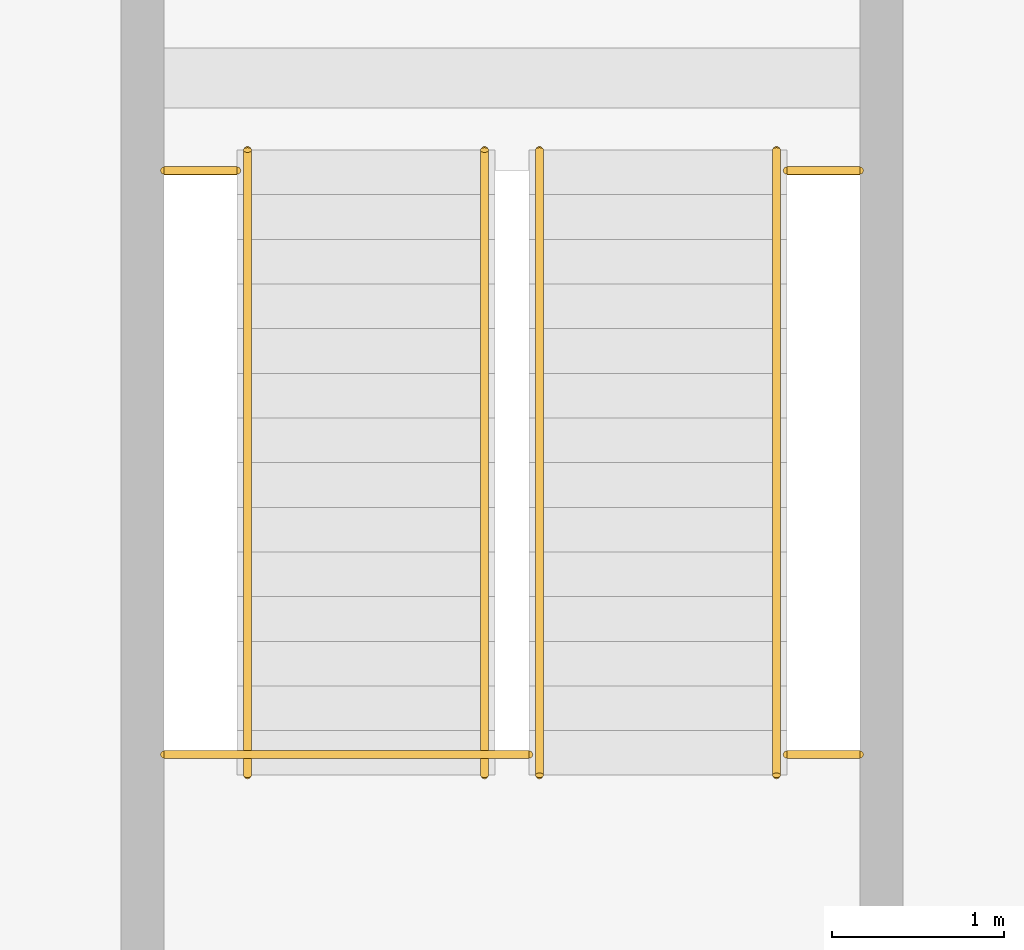
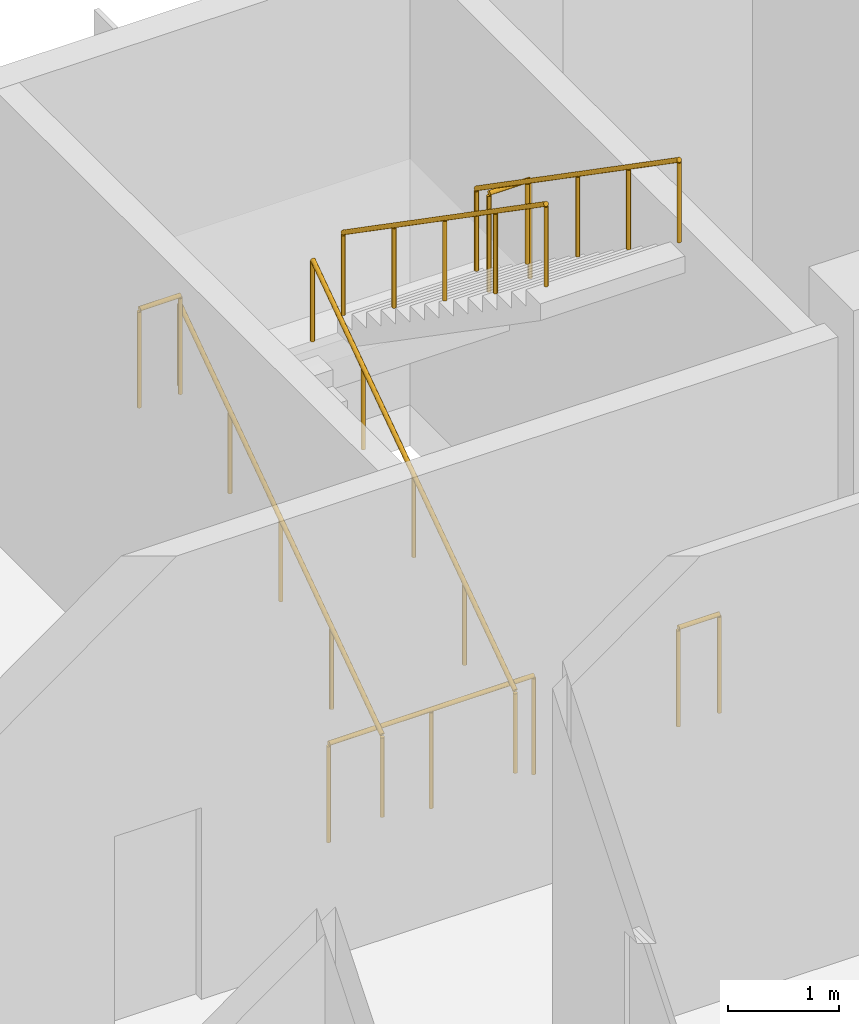
# One storey, part 32 of 32: 8 railings.
"""IFC4 building model written with IfcOpenShell, lengths in metres."""

from ifc_helpers import new_model, si_unit, direction, frame, origin, origin_2d, place, context, subcontext, project, spatial, circle, extrude, material, type_object, element, save


model = new_model("IFC4")

# Units and contexts
model_context = context("Model", 3, precision=1e-05, world=origin(), true_north=direction((0.0, 1.0)))
body_context = subcontext(model_context, "Body", "Model", "MODEL_VIEW")
ifc_project = project(units=[si_unit("LENGTHUNIT", "METRE"), si_unit("AREAUNIT", "SQUARE_METRE"), si_unit("VOLUMEUNIT", "CUBIC_METRE"), si_unit("PLANEANGLEUNIT", "RADIAN"), si_unit("MASSUNIT", "GRAM", prefix="KILO")], contexts=[model_context])

# Site, building, storey
site_placement = place(None, origin())
site = spatial("IfcSite", under=ifc_project, at=site_placement, CompositionType="ELEMENT")
building_placement = place(site_placement, origin())
building = spatial("IfcBuilding", under=site, at=building_placement, Name="Basin Gate Institute", CompositionType="ELEMENT")
storey_placement = place(building_placement, frame((0.0, 0.0, 11.39990234375)))
storey = spatial("IfcBuildingStorey", under=building, at=storey_placement, Name="L02", CompositionType="ELEMENT", Elevation=11.39990234375)

# Railings
ifc_material_1 = material(Name="Stainless steel tube and glass infill", Category="steel")
railing_type_1 = type_object("IfcRailingType", Name="Block railing 1100", PredefinedType="GUARDRAIL", material=ifc_material_1)
railing_placement = place(storey_placement, frame((139.625, 101.2451171875, 0.0)))
element("IfcRailing", 1, at=railing_placement, inside=storey, type_object=railing_type_1, material=ifc_material_1, Name="Guard stairwell ST-C6 L02", PredefinedType="GUARDRAIL", context=body_context, shape_type="SweptSolid", body=[
    extrude(circle(Radius=0.02392578125, at=origin_2d()), frame((0.0, 0.0, 1.076171875), z_axis=(1.0, 0.0, 0.0), x_axis=(0.0, 1.0, 0.0)), (0.0, 0.0, 1.0), 2.125),
    extrude(circle(Radius=0.02099609375, at=origin_2d()), origin(), (0.0, 0.0, 1.0), 1.052001953125),
    extrude(circle(Radius=0.02099609375, at=origin_2d()), frame((1.0625, 0.0, 0.0)), (0.0, 0.0, 1.0), 1.052001953125),
    extrude(circle(Radius=0.02099609375, at=origin_2d()), frame((2.125, 0.0, 0.0)), (0.0, 0.0, 1.0), 1.052001953125),
])
for number, where, name in (
    (2, (143.25, 101.2451171875, 0.0), "Guard stairwell ST-C6 L02 east"),
    (3, (139.625, 104.64501953125, 2.7001953125), "Guard stair landing ST-C7 L02"),
    (4, (143.25, 104.64501953125, 2.7001953125), "Guard stair landing ST-C7 L02"),
):
    element("IfcRailing", number, at=place(storey_placement, frame(where)), inside=storey, type_object=railing_type_1, material=ifc_material_1, Name=name, PredefinedType="GUARDRAIL", context=body_context, shape_type="SweptSolid", body=[
        extrude(circle(Radius=0.02392578125, at=origin_2d()), frame((0.0, 0.0, 1.076171875), z_axis=(1.0, 0.0, 0.0), x_axis=(0.0, 1.0, 0.0)), (0.0, 0.0, 1.0), 0.425048828125),
        extrude(circle(Radius=0.02099609375, at=origin_2d()), origin(), (0.0, 0.0, 1.0), 1.052001953125),
        extrude(circle(Radius=0.02099609375, at=origin_2d()), frame((0.425048828125, 0.0, 0.0)), (0.0, 0.0, 1.0), 1.052001953125),
    ])
ifc_material_2 = material(Name="Stainless steel tube and glass infill", Category="steel")
railing_type_2 = type_object("IfcRailingType", Name="Block railing 920", PredefinedType="HANDRAIL", material=ifc_material_2)
for number, where, name in (
    (5, (140.110107421875, 101.125, 0.18017578125), "Handrail ST-C7 flight 1"),
    (6, (141.489990234375, 101.125, 0.18017578125), "Handrail ST-C7 flight 1"),
):
    element("IfcRailing", number, at=place(storey_placement, frame(where)), inside=storey, type_object=railing_type_2, material=ifc_material_2, Name=name, PredefinedType="HANDRAIL", context=body_context, shape_type="SweptSolid", body=[
        extrude(circle(Radius=0.02392578125, at=origin_2d()), frame((0.0, 0.0, 0.89599609375), z_axis=(0.0, 0.822182265111, 0.569224316888), x_axis=(-1.0, 0.0, 0.0)), (0.0, 0.0, 1.0), 4.427001953125),
        extrude(circle(Radius=0.02099609375, at=origin_2d()), origin(), (0.0, 0.0, 1.0), 0.871826171875),
        extrude(circle(Radius=0.02099609375, at=origin_2d()), frame((0.0, 0.909912109375, 0.6298828125)), (0.0, 0.0, 1.0), 0.871826171875),
        extrude(circle(Radius=0.02099609375, at=origin_2d()), frame((0.0, 1.81982421875, 1.260009765625)), (0.0, 0.0, 1.0), 0.871826171875),
        extrude(circle(Radius=0.02099609375, at=origin_2d()), frame((0.0, 2.72998046875, 1.89013671875)), (0.0, 0.0, 1.0), 0.871826171875),
        extrude(circle(Radius=0.02099609375, at=origin_2d()), frame((0.0, 3.639892578125, 2.52001953125)), (0.0, 0.0, 1.0), 0.871826171875),
    ])
for number, where, name in (
    (7, (141.81005859375, 104.764892578125, 2.880126953125), "Handrail ST-C7 flight 2"),
    (8, (143.18994140625, 104.764892578125, 2.880126953125), "Handrail ST-C7 flight 2"),
):
    element("IfcRailing", number, at=place(storey_placement, frame(where)), inside=storey, type_object=railing_type_2, material=ifc_material_2, Name=name, PredefinedType="HANDRAIL", context=body_context, shape_type="SweptSolid", body=[
        extrude(circle(Radius=0.02392578125, at=origin_2d()), frame((0.0, 0.0, 0.89599609375), z_axis=(0.0, -0.822182265111, 0.569224316888), x_axis=(1.0, 0.0, 0.0)), (0.0, 0.0, 1.0), 4.427001953125),
        extrude(circle(Radius=0.02099609375, at=origin_2d()), origin(), (0.0, 0.0, 1.0), 0.871826171875),
        extrude(circle(Radius=0.02099609375, at=origin_2d()), frame((0.0, -0.909912109375, 0.6298828125)), (0.0, 0.0, 1.0), 0.871826171875),
        extrude(circle(Radius=0.02099609375, at=origin_2d()), frame((0.0, -1.81982421875, 1.260009765625)), (0.0, 0.0, 1.0), 0.871826171875),
        extrude(circle(Radius=0.02099609375, at=origin_2d()), frame((0.0, -2.72998046875, 1.89013671875)), (0.0, 0.0, 1.0), 0.871826171875),
        extrude(circle(Radius=0.02099609375, at=origin_2d()), frame((0.0, -3.639892578125, 2.52001953125)), (0.0, 0.0, 1.0), 0.871826171875),
    ])

save(model, "model.ifc")
